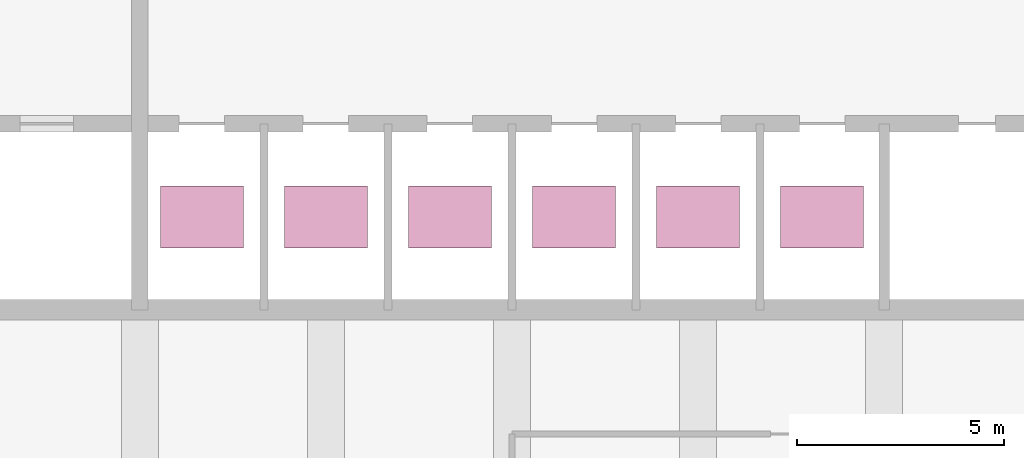
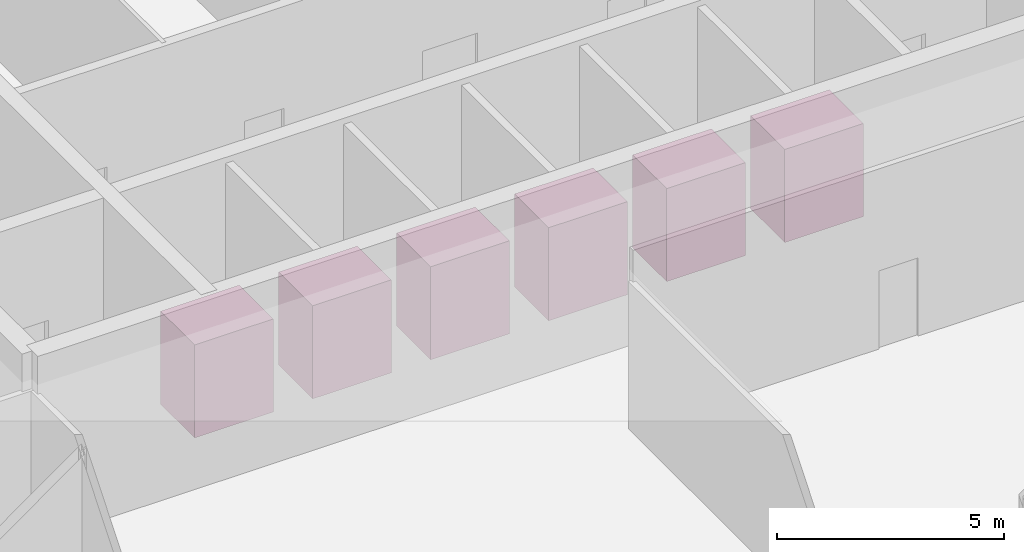
# One storey, part 12 of 12: 6 transport elements.
"""IFC4 building model written with IfcOpenShell, lengths in metres."""

from ifc_helpers import new_model, si_unit, direction, frame, origin, origin_2d, place, context, subcontext, project, spatial, rectangle, extrude, material, type_object, element, save


model = new_model("IFC4")

# Units and contexts
model_context = context("Model", 3, precision=1e-05, world=origin(), true_north=direction((0.0, 1.0)))
body_context = subcontext(model_context, "Body", "Model", "MODEL_VIEW")
ifc_project = project(units=[si_unit("LENGTHUNIT", "METRE"), si_unit("AREAUNIT", "SQUARE_METRE"), si_unit("VOLUMEUNIT", "CUBIC_METRE"), si_unit("PLANEANGLEUNIT", "RADIAN"), si_unit("MASSUNIT", "GRAM", prefix="KILO")], contexts=[model_context])

# Site, building, storey
site_placement = place(None, origin())
site = spatial("IfcSite", under=ifc_project, at=site_placement, CompositionType="ELEMENT")
building_placement = place(site_placement, origin())
building = spatial("IfcBuilding", under=site, at=building_placement, Name="Corais Broadcast Tower", CompositionType="ELEMENT")
storey_placement = place(building_placement, frame((0.0, 0.0, 110.60009765625)))
storey = spatial("IfcBuildingStorey", under=building, at=storey_placement, Name="L24", CompositionType="ELEMENT", Elevation=110.60009765625)

# Transport elements
ifc_material = material(Name="Stainless steel lift car", Category="steel")
transport_element_type = type_object("IfcTransportElementType", Name="Lift car 2000x1500", PredefinedType="ELEVATOR", material=ifc_material)
for number, where, z_axis, x_axis, name in (
    (1, (19.5, 15.75, 0.0), (0.0, 0.0, 1.0), (1.0, 0.0, 0.0), "Lift PM1"),
    (2, (22.5, 15.75, 0.0), (0.0, 0.0, 1.0), (1.0, 0.0, 0.0), "Lift PM2"),
    (3, (25.5, 15.75, 0.0), (0.0, 0.0, 1.0), (1.0, 0.0, 0.0), "Lift PM3"),
    (4, (28.5, 15.75, 0.0), (0.0, 0.0, 1.0), (1.0, 0.0, 0.0), "Lift PM4"),
    (5, (31.5, 15.75, 0.0), (0.0, 0.0, 1.0), (1.0, 0.0, 0.0), "Lift PM5"),
    (6, (34.5, 15.75, 0.0), (0.0, 0.0, 1.0), (1.0, 0.0, 0.0), "Lift PM6"),
):
    element("IfcTransportElement", number, at=place(storey_placement, frame(where, z_axis=z_axis, x_axis=x_axis)), inside=storey, type_object=transport_element_type, Name=name, PredefinedType="ELEVATOR", context=body_context, shape_type="SweptSolid", body=[
        extrude(rectangle(XDim=2.0, YDim=1.5, at=origin_2d()), origin(), (0.0, 0.0, 1.0), 2.5),
    ])

save(model, "model.ifc")
